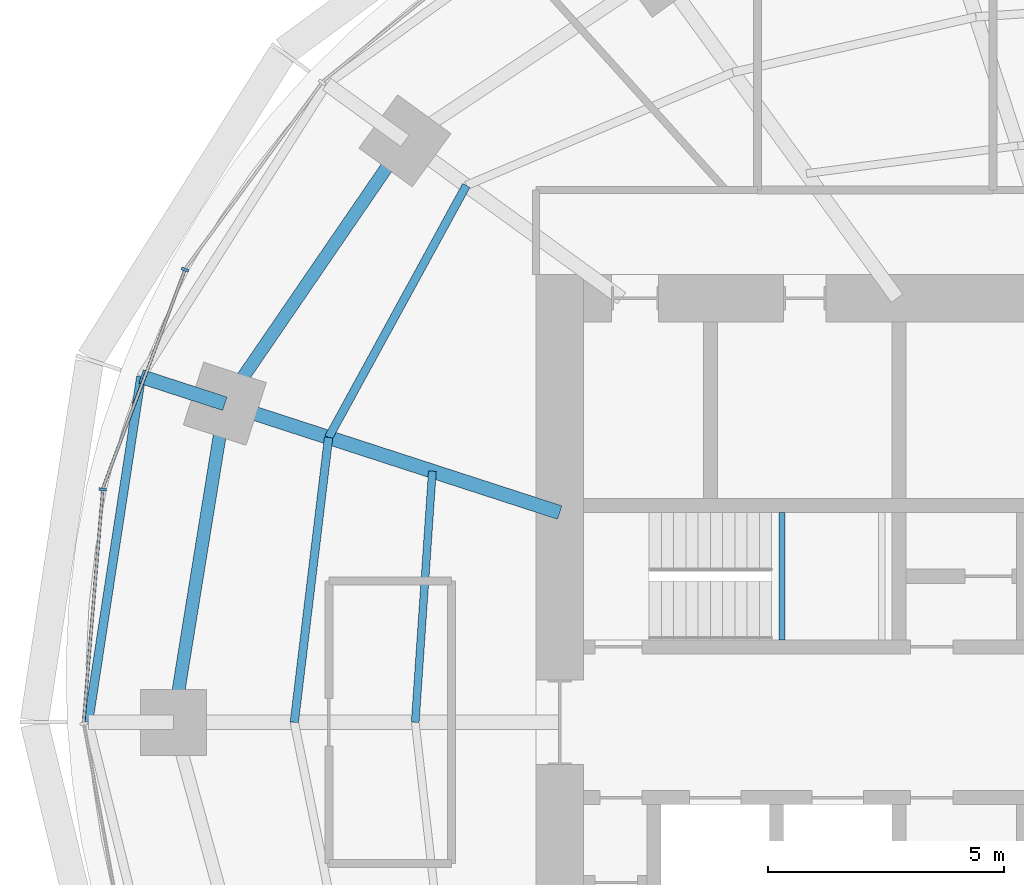
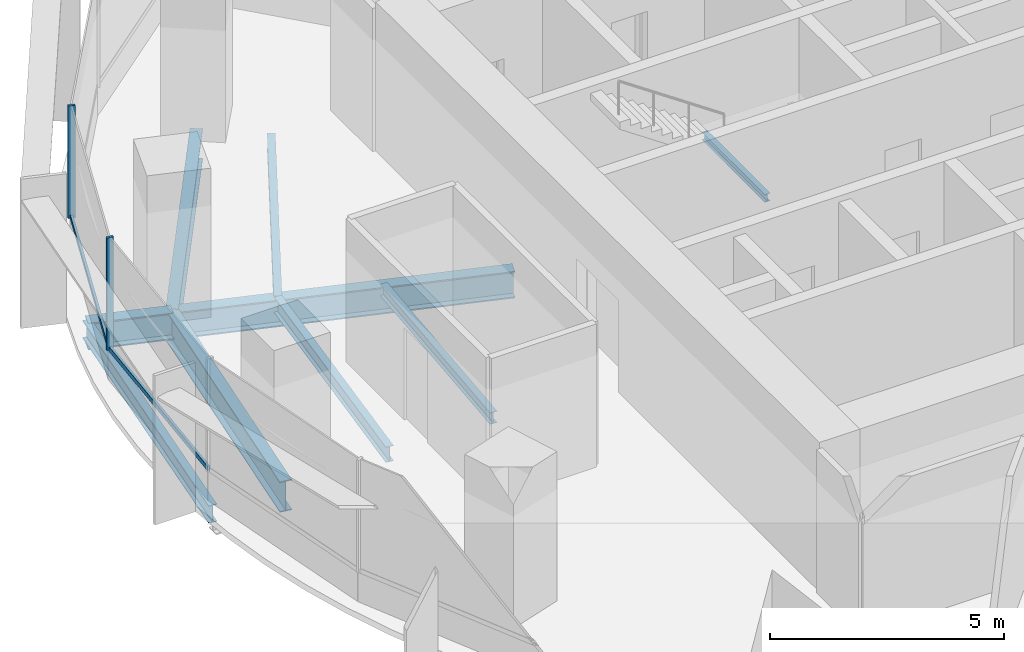
# One storey, part 4 of 15: 9 beams, 4 members, 1 element without a shape of its own.
"""IFC4 building model written with IfcOpenShell, lengths in metres."""

from ifc_helpers import new_model, si_unit, direction, frame, origin, origin_2d, place, context, subcontext, project, spatial, rectangle, i_section, extrude, material, material_profile, profile_set, type_object, element, aggregate, save


model = new_model("IFC4")

# Units and contexts
model_context = context("Model", 3, precision=1e-05, world=origin(), true_north=direction((0.0, 1.0)))
body_context = subcontext(model_context, "Body", "Model", "MODEL_VIEW")
ifc_project = project(units=[si_unit("LENGTHUNIT", "METRE"), si_unit("AREAUNIT", "SQUARE_METRE"), si_unit("VOLUMEUNIT", "CUBIC_METRE"), si_unit("PLANEANGLEUNIT", "RADIAN"), si_unit("MASSUNIT", "GRAM", prefix="KILO")], contexts=[model_context])

# Site, building, storey
site_placement = place(None, origin())
site = spatial("IfcSite", under=ifc_project, at=site_placement, CompositionType="ELEMENT")
building_placement = place(site_placement, origin())
building = spatial("IfcBuilding", under=site, at=building_placement, Name="Marramba Exchange Tower", CompositionType="ELEMENT")
storey_placement = place(building_placement, frame((0.0, 0.0, 211.10009765625)))
storey = spatial("IfcBuildingStorey", under=building, at=storey_placement, Name="L51", CompositionType="ELEMENT", Elevation=211.10009765625)

# Beams
ifc_material_1 = material(Name="Steel AS/NZS 3679.2 grade 300", Category="steel")
ifc_material_profile_1 = material_profile(ifc_material_1, i_section(OverallWidth=0.300048828125, OverallDepth=0.699951171875, WebThickness=0.010009765625, FlangeThickness=0.031982421875, at=origin_2d()), Name="700WB173")
ifc_profile_set_1 = profile_set([ifc_material_profile_1], Name="Steel AS/NZS 3679.2 grade 300")
beam_type_1 = type_object("IfcBeamType", Name="Cantilever girder 700WB173", PredefinedType="BEAM", material=ifc_profile_set_1)
beam_1_placement = place(storey_placement, frame((-20.808349609375, 6.760986328125, -0.510009765625), z_axis=(-0.951047511993, 0.309044705395, 0.0), x_axis=(-0.309044705395, -0.951047511993, 0.0)))
element("IfcBeam", 1, at=beam_1_placement, inside=storey, type_object=beam_type_1, Name="Cantilever girder L51 TC10", PredefinedType="BEAM", context=body_context, shape_type="SweptSolid", body=[
    extrude(i_section(OverallWidth=0.300048828125, OverallDepth=0.699951171875, WebThickness=0.010009765625, FlangeThickness=0.031982421875, at=origin_2d()), origin(), (0.0, 0.0, 1.0), 1.868408203125),
])
ifc_material_2 = material(Name="Steel AS/NZS 3679.1 grade 300", Category="steel")
ifc_material_profile_2 = material_profile(ifc_material_2, i_section(OverallWidth=0.166015625, OverallDepth=0.306884765625, WebThickness=0.006591796875, FlangeThickness=0.01171875, FilletRadius=0.011474609375, at=origin_2d()), Name="310UB46.2")
ifc_profile_set_2 = profile_set([ifc_material_profile_2], Name="Steel AS/NZS 3679.1 grade 300")
beam_type_2 = type_object("IfcBeamType", Name="Floor joist 310UB46.2", PredefinedType="JOIST", material=ifc_profile_set_2)
beam_2_placement = place(storey_placement, frame((-16.40283203125, 5.32958984375, -0.3134765625), z_axis=(-0.068096259546, -0.99767875563, 0.0), x_axis=(0.99767875563, -0.068096259546, 0.0)))
element("IfcBeam", 2, at=beam_2_placement, inside=storey, type_object=beam_type_2, Name="Joist L51 bay 10 row 1", PredefinedType="JOIST", context=body_context, shape_type="SweptSolid", body=[
    extrude(i_section(OverallWidth=0.166015625, OverallDepth=0.306884765625, WebThickness=0.006591796875, FlangeThickness=0.01171875, FilletRadius=0.011474609375, at=origin_2d()), origin(), (0.0, 0.0, 1.0), 5.342041015625),
])
ifc_material_profile_3 = material_profile(ifc_material_2, i_section(OverallWidth=0.177978515625, OverallDepth=0.406005859375, WebThickness=0.0078125, FlangeThickness=0.0126953125, FilletRadius=0.011474609375, at=origin_2d()), Name="410UB59.7")
ifc_profile_set_3 = profile_set([ifc_material_profile_3], Name="Steel AS/NZS 3679.1 grade 300")
beam_type_3 = type_object("IfcBeamType", Name="Floor joist 410UB59.7", PredefinedType="JOIST", material=ifc_profile_set_3)
beam_3_placement = place(storey_placement, frame((-15.682373046875, 11.393798828125, -0.363037109375), z_axis=(-0.479584443791, -0.877495732909, 0.0), x_axis=(0.877495732909, -0.479584443791, 0.0)))
element("IfcBeam", 3, at=beam_3_placement, inside=storey, type_object=beam_type_3, Name="Joist L51 bay 09 row 2", PredefinedType="JOIST", context=body_context, shape_type="SweptSolid", body=[
    extrude(i_section(OverallWidth=0.177978515625, OverallDepth=0.406005859375, WebThickness=0.0078125, FlangeThickness=0.0126953125, FilletRadius=0.011474609375, at=origin_2d()), origin(), (0.0, 0.0, 1.0), 6.094970703125),
])
beam_4_placement = place(storey_placement, frame((-18.60546875, 6.04541015625, -0.363037109375), z_axis=(-0.119523078538, -0.992831422597, 0.0), x_axis=(0.992831422597, -0.119523078538, 0.0)))
element("IfcBeam", 4, at=beam_4_placement, inside=storey, type_object=beam_type_3, Name="Joist L51 bay 10 row 2", PredefinedType="JOIST", context=body_context, shape_type="SweptSolid", body=[
    extrude(i_section(OverallWidth=0.177978515625, OverallDepth=0.406005859375, WebThickness=0.0078125, FlangeThickness=0.0126953125, FilletRadius=0.011474609375, at=origin_2d()), origin(), (0.0, 0.0, 1.0), 6.089111328125),
])

# Curtain wall, members
ifc_material_3 = material(Name="Aluminium framing, bronze anodised", Category="aluminium")
curtain_wall_type = type_object("IfcCurtainWallType", Name="Office ribbon curtain wall", PredefinedType="USERDEFINED", material=ifc_material_3)
curtain_wall_placement = place(storey_placement, origin())
curtain_wall = element("IfcCurtainWall", 5, at=curtain_wall_placement, inside=storey, type_object=curtain_wall_type, Name="Curtain wall CW4 L51 F11-F15", ObjectType="RIBBON CURTAIN WALL", PredefinedType="USERDEFINED")
ifc_material_4 = material(Name="Aluminium mullion, bronze anodised", Category="aluminium")
ifc_material_profile_4 = material_profile(ifc_material_4, rectangle(XDim=0.159912109375, YDim=0.06005859375, at=origin_2d()), Name="CW4 mullion 60x160")
ifc_profile_set_4 = profile_set([ifc_material_profile_4], Name="Aluminium mullion, bronze anodised")
member_type_1 = type_object("IfcMemberType", Name="Office ribbon curtain wall mullion", PredefinedType="MULLION", material=ifc_profile_set_4)
member_1_placement = place(storey_placement, frame((-21.65283203125, 9.607666015625, 0.7998046875), z_axis=(0.0, 0.0, 1.0), x_axis=(0.936018231909, -0.351951515885, 0.0)))
member_1 = element("IfcMember", 6, at=member_1_placement, type_object=member_type_1, Name="CW4 mullion 1", PredefinedType="MULLION", context=body_context, shape_type="SweptSolid", body=[
    extrude(rectangle(XDim=0.159912109375, YDim=0.06005859375, at=origin_2d()), origin(), (0.0, 0.0, 1.0), 2.940185546875),
])
member_2_placement = place(storey_placement, frame((-23.39794921875, 4.94287109375, 0.7998046875), z_axis=(0.0, 0.0, 1.0), x_axis=(0.996609178714, -0.082280890264, 0.0)))
member_2 = element("IfcMember", 7, at=member_2_placement, type_object=member_type_1, Name="CW4 mullion 1", PredefinedType="MULLION", context=body_context, shape_type="SweptSolid", body=[
    extrude(rectangle(XDim=0.159912109375, YDim=0.06005859375, at=origin_2d()), origin(), (0.0, 0.0, 1.0), 2.940185546875),
])
ifc_material_5 = material(Name="Aluminium transom, bronze anodised", Category="aluminium")
ifc_material_profile_5 = material_profile(ifc_material_5, rectangle(XDim=0.06005859375, YDim=0.1201171875, at=origin_2d()), Name="CW4 transom 60x120")
ifc_profile_set_5 = profile_set([ifc_material_profile_5], Name="Aluminium transom, bronze anodised")
member_type_2 = type_object("IfcMemberType", Name="Office ribbon curtain wall transom", PredefinedType="USERDEFINED", material=ifc_profile_set_5)
member_3_placement = place(storey_placement, frame((-21.663330078125, 9.57958984375, 0.829833984375), z_axis=(-0.351955054115, -0.936016901494, 0.0), x_axis=(0.936016901494, -0.351955054115, 0.0)))
member_3 = element("IfcMember", 8, at=member_3_placement, type_object=member_type_2, Name="CW4 sill transom", ObjectType="TRANSOM", PredefinedType="USERDEFINED", context=body_context, shape_type="SweptSolid", body=[
    extrude(rectangle(XDim=0.06005859375, YDim=0.1201171875, at=origin_2d()), origin(), (0.0, 0.0, 1.0), 4.921630859375),
])
member_4_placement = place(storey_placement, frame((-23.400390625, 4.9130859375, 0.829833984375), z_axis=(-0.082258542539, -0.996611023509, 0.0), x_axis=(0.996611023509, -0.082258542539, 0.0)))
member_4 = element("IfcMember", 9, at=member_4_placement, type_object=member_type_2, Name="CW4 sill transom", ObjectType="TRANSOM", PredefinedType="USERDEFINED", context=body_context, shape_type="SweptSolid", body=[
    extrude(rectangle(XDim=0.06005859375, YDim=0.1201171875, at=origin_2d()), origin(), (0.0, 0.0, 1.0), 4.9296875),
])
aggregate(curtain_wall, [member_1, member_3, member_2, member_4])

# Beams
ifc_material_profile_6 = material_profile(ifc_material_1, i_section(OverallWidth=0.300048828125, OverallDepth=0.699951171875, WebThickness=0.010009765625, FlangeThickness=0.031982421875, at=origin_2d()), Name="700WB173")
ifc_profile_set_6 = profile_set([ifc_material_profile_6], Name="Steel AS/NZS 3679.2 grade 300")
beam_type_4 = type_object("IfcBeamType", Name="Radial girder 700WB173", PredefinedType="BEAM", material=ifc_profile_set_6)
beam_5_placement = place(storey_placement, frame((-13.699951171875, 4.451416015625, -0.510009765625), z_axis=(-0.951059990189, 0.309006302624, 0.0), x_axis=(-0.309006302624, -0.951059990189, 0.0)))
element("IfcBeam", 10, at=beam_5_placement, inside=storey, type_object=beam_type_4, Name="Radial girder L51 TC10", PredefinedType="BEAM", context=body_context, shape_type="SweptSolid", body=[
    extrude(i_section(OverallWidth=0.300048828125, OverallDepth=0.699951171875, WebThickness=0.010009765625, FlangeThickness=0.031982421875, at=origin_2d()), origin(), (0.0, 0.0, 1.0), 7.47412109375),
])
ifc_material_profile_7 = material_profile(ifc_material_1, i_section(OverallWidth=0.27490234375, OverallDepth=0.800048828125, WebThickness=0.010009765625, FlangeThickness=0.02490234375, at=origin_2d()), Name="800WB168")
ifc_profile_set_7 = profile_set([ifc_material_profile_7], Name="Steel AS/NZS 3679.2 grade 300")
beam_type_5 = type_object("IfcBeamType", Name="Ring beam 800WB168", PredefinedType="SPANDREL", material=ifc_profile_set_7)
beam_6_placement = place(storey_placement, frame((-16.98583984375, 12.3408203125, -0.56005859375), z_axis=(-0.56516002054, -0.824981303535, 0.0), x_axis=(0.824981303535, -0.56516002054, 0.0)))
element("IfcBeam", 11, at=beam_6_placement, inside=storey, type_object=beam_type_5, Name="Ring beam L51 TC09-TC10", PredefinedType="SPANDREL", context=body_context, shape_type="SweptSolid", body=[
    extrude(i_section(OverallWidth=0.27490234375, OverallDepth=0.800048828125, WebThickness=0.010009765625, FlangeThickness=0.02490234375, at=origin_2d()), origin(), (0.0, 0.0, 1.0), 6.763671875),
])
beam_7_placement = place(storey_placement, frame((-20.808349609375, 6.760986328125, -0.56005859375), z_axis=(-0.159384865399, -0.987216523708, 0.0), x_axis=(0.987216523708, -0.159384865399, 0.0)))
element("IfcBeam", 12, at=beam_7_placement, inside=storey, type_object=beam_type_5, Name="Ring beam L51 TC10-TC11", PredefinedType="SPANDREL", context=body_context, shape_type="SweptSolid", body=[
    extrude(i_section(OverallWidth=0.27490234375, OverallDepth=0.800048828125, WebThickness=0.010009765625, FlangeThickness=0.02490234375, at=origin_2d()), origin(), (0.0, 0.0, 1.0), 6.8486328125),
])
ifc_material_profile_8 = material_profile(ifc_material_2, i_section(OverallWidth=0.19091796875, OverallDepth=0.4599609375, WebThickness=0.010009765625, FlangeThickness=0.01611328125, FilletRadius=0.011474609375, at=origin_2d()), Name="460UB82.1")
ifc_profile_set_8 = profile_set([ifc_material_profile_8], Name="Steel AS/NZS 3679.1 grade 300")
beam_type_6 = type_object("IfcBeamType", Name="Slab edge beam 460UB82.1", PredefinedType="SPANDREL", material=ifc_profile_set_8)
beam_8_placement = place(storey_placement, frame((-22.585205078125, 7.33837890625, -0.39013671875), z_axis=(-0.150987012186, -0.988535746522, 0.0), x_axis=(0.988535746522, -0.150987012186, 0.0)))
element("IfcBeam", 13, at=beam_8_placement, inside=storey, type_object=beam_type_6, Name="Slab edge beam L51 TC10-TC11", PredefinedType="SPANDREL", context=body_context, shape_type="SweptSolid", body=[
    extrude(i_section(OverallWidth=0.19091796875, OverallDepth=0.4599609375, WebThickness=0.010009765625, FlangeThickness=0.01611328125, FilletRadius=0.011474609375, at=origin_2d()), origin(), (0.0, 0.0, 1.0), 7.423583984375),
])
ifc_material_profile_9 = material_profile(ifc_material_2, i_section(OverallWidth=0.133056640625, OverallDepth=0.202880859375, WebThickness=0.005859375, FlangeThickness=0.0078125, FilletRadius=0.0087890625, at=origin_2d()), Name="200UB25.4")
ifc_profile_set_9 = profile_set([ifc_material_profile_9], Name="Steel AS/NZS 3679.1 grade 300")
beam_type_7 = type_object("IfcBeamType", Name="Stair landing beam 200UB25.4", PredefinedType="BEAM", material=ifc_profile_set_9)
beam_9_placement = place(storey_placement, frame((-8.9833984375, 1.75, 1.6484375), z_axis=(0.0, 1.0, 0.0), x_axis=(-1.0, 0.0, 0.0)))
element("IfcBeam", 14, at=beam_9_placement, inside=storey, type_object=beam_type_7, Name="Stair landing beam SLB1 ST1 L51 1", PredefinedType="BEAM", context=body_context, shape_type="SweptSolid", body=[
    extrude(i_section(OverallWidth=0.133056640625, OverallDepth=0.202880859375, WebThickness=0.005859375, FlangeThickness=0.0078125, FilletRadius=0.0087890625, at=origin_2d()), origin(), (0.0, 0.0, 1.0), 2.699951171875),
])

save(model, "model.ifc")
